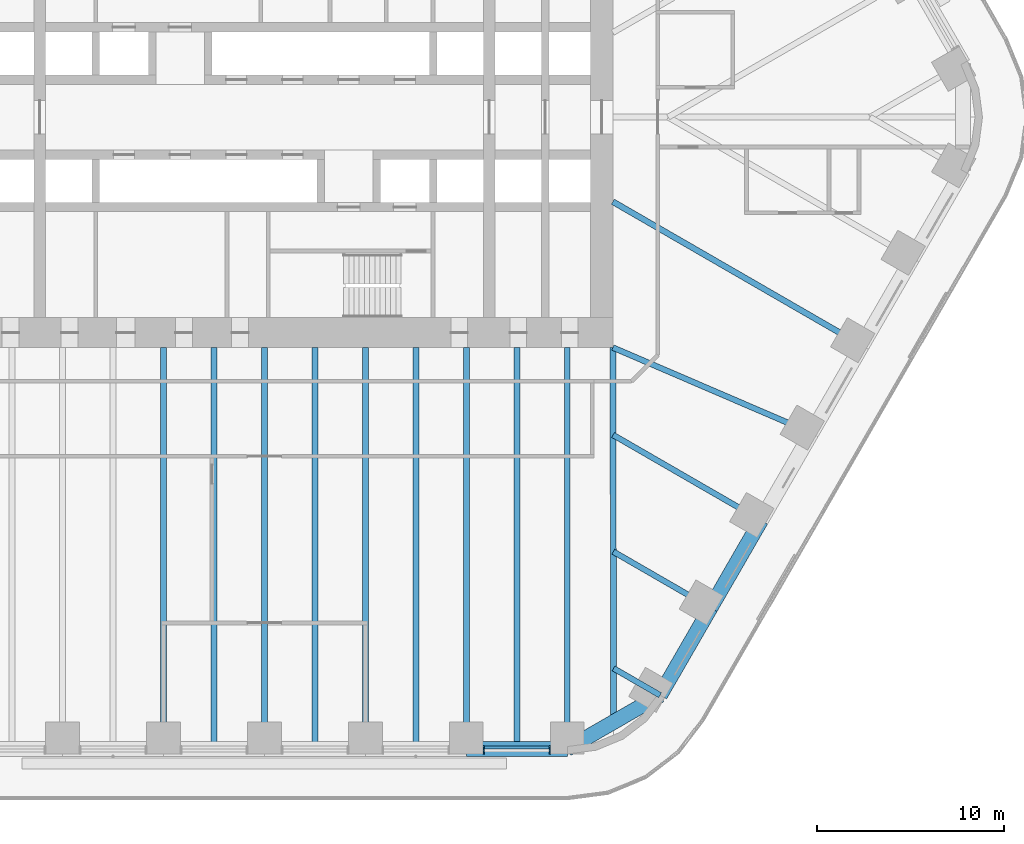
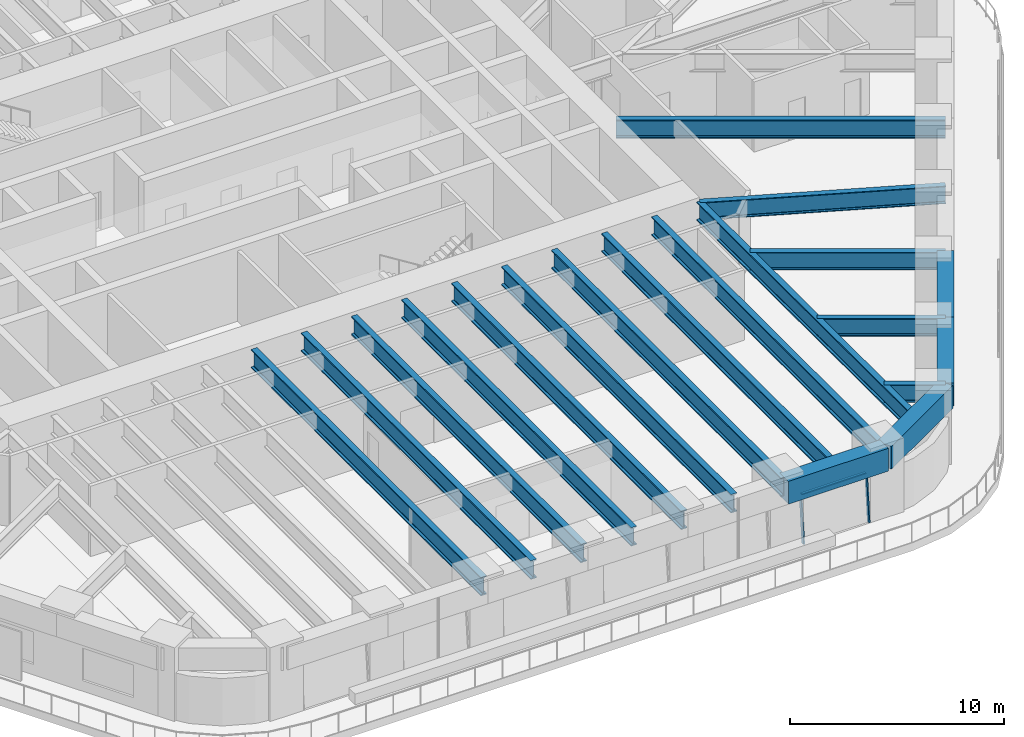
# One storey, part 5 of 23: 19 beams, 3 members, 1 element without a shape of its own.
"""IFC4 building model written with IfcOpenShell, lengths in metres."""

from ifc_helpers import new_model, si_unit, direction, frame, origin, origin_2d, place, context, subcontext, project, spatial, rectangle, i_section, extrude, material, material_profile, profile_set, type_object, element, aggregate, save


model = new_model("IFC4")

# Units and contexts
model_context = context("Model", 3, precision=1e-05, world=origin(), true_north=direction((0.0, 1.0)))
body_context = subcontext(model_context, "Body", "Model", "MODEL_VIEW")
ifc_project = project(units=[si_unit("LENGTHUNIT", "METRE"), si_unit("AREAUNIT", "SQUARE_METRE"), si_unit("VOLUMEUNIT", "CUBIC_METRE"), si_unit("PLANEANGLEUNIT", "RADIAN"), si_unit("MASSUNIT", "GRAM", prefix="KILO")], contexts=[model_context])

# Site, building, storey
site_placement = place(None, origin())
site = spatial("IfcSite", under=ifc_project, at=site_placement, CompositionType="ELEMENT")
building_placement = place(site_placement, origin())
building = spatial("IfcBuilding", under=site, at=building_placement, Name="Tarfa Lantern Tower", CompositionType="ELEMENT")
storey_placement = place(building_placement, frame((0.0, 0.0, 99.10009765625)))
storey = spatial("IfcBuildingStorey", under=building, at=storey_placement, Name="L22", CompositionType="ELEMENT", Elevation=99.10009765625)

# Curtain wall, members
ifc_material_1 = material(Name="Aluminium framed curtain wall", Category="aluminium")
curtain_wall_type = type_object("IfcCurtainWallType", Name="CW1 CANTED GLAZING LOW ZONE 2700", PredefinedType="USERDEFINED", material=ifc_material_1)
curtain_wall_placement = place(storey_placement, origin())
curtain_wall = element("IfcCurtainWall", 1, at=curtain_wall_placement, inside=storey, type_object=curtain_wall_type, Name="CW1 S L22", ObjectType="CURTAIN WALL", PredefinedType="USERDEFINED")
ifc_material_2 = material(Name="Aluminium mullion", Category="aluminium")
ifc_material_profile_1 = material_profile(ifc_material_2, rectangle(XDim=0.06494140625, YDim=0.199951171875, at=origin_2d()), Name="AL MULLION 65x200")
ifc_profile_set_1 = profile_set([ifc_material_profile_1], Name="Aluminium mullion")
member_type_1 = type_object("IfcMemberType", Name="CWM1 MULLION 65x200", PredefinedType="MULLION", material=ifc_profile_set_1)
member_1_placement = place(storey_placement, frame((11.709716796875, -33.89990234375, 0.0), z_axis=(0.0, 0.092199863775, 0.995740520979), x_axis=(-1.0, 0.0, 0.0)))
member_1 = element("IfcMember", 2, at=member_1_placement, type_object=member_type_1, Name="CW1 mullion 1", PredefinedType="MULLION", context=body_context, shape_type="SweptSolid", body=[
    extrude(rectangle(XDim=0.06494140625, YDim=0.199951171875, at=origin_2d()), origin(), (0.0, 0.0, 1.0), 2.71142578125),
])
member_2_placement = place(storey_placement, frame((15.2333984375, -33.89990234375, 0.0), z_axis=(0.0, 0.092199863775, 0.995740520979), x_axis=(-1.0, 0.0, 0.0)))
member_2 = element("IfcMember", 3, at=member_2_placement, type_object=member_type_1, Name="CW1 mullion 2", PredefinedType="MULLION", context=body_context, shape_type="SweptSolid", body=[
    extrude(rectangle(XDim=0.06494140625, YDim=0.199951171875, at=origin_2d()), origin(), (0.0, 0.0, 1.0), 2.71142578125),
])
ifc_material_3 = material(Name="Aluminium transom", Category="aluminium")
ifc_material_profile_2 = material_profile(ifc_material_3, rectangle(XDim=0.14990234375, YDim=0.06494140625, at=origin_2d()), Name="AL TRANSOM 150x65")
ifc_profile_set_2 = profile_set([ifc_material_profile_2], Name="Aluminium transom")
member_type_2 = type_object("IfcMemberType", Name="CWT1 TRANSOM 150x65", PredefinedType="USERDEFINED", material=ifc_profile_set_2)
member_3_placement = place(storey_placement, frame((11.7421875, -33.653076171875, 2.66748046875), z_axis=(1.0, 0.0, 0.0), x_axis=(0.0, 1.0, 0.0)))
member_3 = element("IfcMember", 4, at=member_3_placement, type_object=member_type_2, Name="CW1 transom 1.2", ObjectType="TRANSOM", PredefinedType="USERDEFINED", context=body_context, shape_type="SweptSolid", body=[
    extrude(rectangle(XDim=0.14990234375, YDim=0.06494140625, at=origin_2d()), origin(), (0.0, 0.0, 1.0), 3.458740234375),
])
aggregate(curtain_wall, [member_1, member_2, member_3])

# Beams
ifc_material_4 = material(Name="Concrete C80/95", Category="concrete")
ifc_material_profile_3 = material_profile(ifc_material_4, rectangle(XDim=0.800048828125, YDim=1.300048828125, at=origin_2d()), Name="RC 800x1300")
ifc_profile_set_3 = profile_set([ifc_material_profile_3], Name="Concrete C80/95")
beam_type_1 = type_object("IfcBeamType", Name="EB1 RC 800x1300", PredefinedType="SPANDREL", material=ifc_profile_set_3)
beam_1_placement = place(storey_placement, frame((10.777099609375, -33.719970703125, 3.349853515625), z_axis=(1.0, 0.0, 0.0), x_axis=(0.0, 1.0, 0.0)))
element("IfcBeam", 5, at=beam_1_placement, inside=storey, type_object=beam_type_1, Name="Edge beam S5", PredefinedType="SPANDREL", context=body_context, shape_type="SweptSolid", body=[
    extrude(rectangle(XDim=0.800048828125, YDim=1.300048828125, at=origin_2d()), origin(), (0.0, 0.0, 1.0), 5.388671875),
])
beam_2_placement = place(storey_placement, frame((16.165771484375, -33.719970703125, 3.349853515625), z_axis=(0.866033479681, 0.499986011877, 0.0), x_axis=(-0.499986011877, 0.866033479681, 0.0)))
element("IfcBeam", 6, at=beam_2_placement, inside=storey, type_object=beam_type_1, Name="Edge beam S6", PredefinedType="SPANDREL", context=body_context, shape_type="SweptSolid", body=[
    extrude(rectangle(XDim=0.800048828125, YDim=1.300048828125, at=origin_2d()), origin(), (0.0, 0.0, 1.0), 5.719970703125),
])
for number, where, z_axis, x_axis, name in (
    (7, (21.119384765625, -30.860107421875, 3.349853515625), (0.499998287579, 0.866026392449, 0.0), (-0.866026392449, 0.499998287579, 0.0), "Edge beam SE0"),
    (8, (23.813720703125, -26.193359375, 3.349853515625), (0.499998287579, 0.866026392449, 0.0), (-0.866026392449, 0.499998287579, 0.0), "Edge beam SE1"),
):
    element("IfcBeam", number, at=place(storey_placement, frame(where, z_axis=z_axis, x_axis=x_axis)), inside=storey, type_object=beam_type_1, Name=name, PredefinedType="SPANDREL", context=body_context, shape_type="SweptSolid", body=[
        extrude(rectangle(XDim=0.800048828125, YDim=1.300048828125, at=origin_2d()), origin(), (0.0, 0.0, 1.0), 5.388671875),
    ])
ifc_material_5 = material(Name="Steel S460M", Category="steel")
ifc_material_profile_4 = material_profile(ifc_material_5, i_section(OverallWidth=0.302001953125, OverallDepth=1.008056640625, WebThickness=0.02099609375, FlangeThickness=0.0400390625, FilletRadius=0.030029296875, at=origin_2d()), Name="UB1016x305x349")
ifc_profile_set_4 = profile_set([ifc_material_profile_4], Name="Steel S460M")
beam_type_2 = type_object("IfcBeamType", Name="UB1016x305x349", PredefinedType="BEAM", material=ifc_profile_set_4)
beam_3_placement = place(storey_placement, frame((21.119384765625, -30.860107421875, 3.495849609375), z_axis=(-0.866012580594, 0.500022209759, 0.0), x_axis=(-0.500022209759, -0.866012580594, 0.0)))
element("IfcBeam", 9, at=beam_3_placement, inside=storey, type_object=beam_type_2, Name="Floor beam SE0", PredefinedType="BEAM", context=body_context, shape_type="SweptSolid", body=[
    extrude(i_section(OverallWidth=0.302001953125, OverallDepth=1.008056640625, WebThickness=0.02099609375, FlangeThickness=0.0400390625, FilletRadius=0.030029296875, at=origin_2d()), origin(), (0.0, 0.0, 1.0), 2.866943359375),
])
beam_4_placement = place(storey_placement, frame((23.813720703125, -26.193359375, 3.495849609375), z_axis=(-0.866015997389, 0.500016292001, 0.0), x_axis=(-0.500016292001, -0.866015997389, 0.0)))
element("IfcBeam", 10, at=beam_4_placement, inside=storey, type_object=beam_type_2, Name="Floor beam SE1", PredefinedType="BEAM", context=body_context, shape_type="SweptSolid", body=[
    extrude(i_section(OverallWidth=0.302001953125, OverallDepth=1.008056640625, WebThickness=0.02099609375, FlangeThickness=0.0400390625, FilletRadius=0.030029296875, at=origin_2d()), origin(), (0.0, 0.0, 1.0), 5.993408203125),
])
beam_5_placement = place(storey_placement, frame((26.508056640625, -21.526611328125, 3.495849609375), z_axis=(-0.866035355799, 0.49998276221, 0.0), x_axis=(-0.49998276221, -0.866035355799, 0.0)))
element("IfcBeam", 11, at=beam_5_placement, inside=storey, type_object=beam_type_2, Name="Floor beam SE2", PredefinedType="BEAM", context=body_context, shape_type="SweptSolid", body=[
    extrude(i_section(OverallWidth=0.302001953125, OverallDepth=1.008056640625, WebThickness=0.02099609375, FlangeThickness=0.0400390625, FilletRadius=0.030029296875, at=origin_2d()), origin(), (0.0, 0.0, 1.0), 9.119873046875),
])
beam_6_placement = place(storey_placement, frame((29.202392578125, -16.860107421875, 3.495849609375), z_axis=(-0.918635483867, 0.395106122175, 0.0), x_axis=(-0.395106122175, -0.918635483867, 0.0)))
element("IfcBeam", 12, at=beam_6_placement, inside=storey, type_object=beam_type_2, Name="Floor beam SE3", PredefinedType="BEAM", context=body_context, shape_type="SweptSolid", body=[
    extrude(i_section(OverallWidth=0.302001953125, OverallDepth=1.008056640625, WebThickness=0.02099609375, FlangeThickness=0.0400390625, FilletRadius=0.030029296875, at=origin_2d()), origin(), (0.0, 0.0, 1.0), 11.541259765625),
])
ifc_material_profile_5 = material_profile(ifc_material_5, i_section(OverallWidth=0.314208984375, OverallDepth=1.055908203125, WebThickness=0.035888671875, FlangeThickness=0.06396484375, FilletRadius=0.030029296875, at=origin_2d()), Name="UB1016x305x584")
ifc_profile_set_5 = profile_set([ifc_material_profile_5], Name="Steel S460M")
beam_type_3 = type_object("IfcBeamType", Name="UB1016x305x584", PredefinedType="BEAM", material=ifc_profile_set_5)
beam_7_placement = place(storey_placement, frame((18.60009765625, -12.300048828125, 3.471923828125), z_axis=(0.00212508222, -0.99999774201, 0.0), x_axis=(0.99999774201, 0.00212508222, 0.0)))
element("IfcBeam", 13, at=beam_7_placement, inside=storey, type_object=beam_type_3, Name="Hip girder SE", PredefinedType="BEAM", context=body_context, shape_type="SweptSolid", body=[
    extrude(i_section(OverallWidth=0.314208984375, OverallDepth=1.055908203125, WebThickness=0.035888671875, FlangeThickness=0.06396484375, FilletRadius=0.030029296875, at=origin_2d()), origin(), (0.0, 0.0, 1.0), 19.989990234375),
])
for number, where, z_axis, x_axis, name in (
    (14, (-5.388671875, -33.719970703125, 3.471923828125), (0.0, 1.0, 0.0), (-1.0, 0.0, 0.0), "Floor beam S2"),
    (15, (0.0, -33.719970703125, 3.471923828125), (0.0, 1.0, 0.0), (-1.0, 0.0, 0.0), "Floor beam S3"),
    (16, (5.388671875, -33.719970703125, 3.471923828125), (0.0, 1.0, 0.0), (-1.0, 0.0, 0.0), "Floor beam S4"),
    (17, (10.777099609375, -33.719970703125, 3.471923828125), (0.0, 1.0, 0.0), (-1.0, 0.0, 0.0), "Floor beam S5"),
    (18, (16.165771484375, -33.719970703125, 3.471923828125), (0.0, 1.0, 0.0), (-1.0, 0.0, 0.0), "Floor beam S6"),
):
    element("IfcBeam", number, at=place(storey_placement, frame(where, z_axis=z_axis, x_axis=x_axis)), inside=storey, type_object=beam_type_3, Name=name, PredefinedType="BEAM", context=body_context, shape_type="SweptSolid", body=[
        extrude(i_section(OverallWidth=0.314208984375, OverallDepth=1.055908203125, WebThickness=0.035888671875, FlangeThickness=0.06396484375, FilletRadius=0.030029296875, at=origin_2d()), origin(), (0.0, 0.0, 1.0), 21.419921875),
    ])
beam_8_placement = place(storey_placement, frame((31.896728515625, -12.193359375, 3.471923828125), z_axis=(-0.866026971665, 0.499997284341, 0.0), x_axis=(-0.499997284341, -0.866026971665, 0.0)))
element("IfcBeam", 19, at=beam_8_placement, inside=storey, type_object=beam_type_3, Name="Floor beam SE4", PredefinedType="BEAM", context=body_context, shape_type="SweptSolid", body=[
    extrude(i_section(OverallWidth=0.314208984375, OverallDepth=1.055908203125, WebThickness=0.035888671875, FlangeThickness=0.06396484375, FilletRadius=0.030029296875, at=origin_2d()), origin(), (0.0, 0.0, 1.0), 15.353515625),
])
for number, where, z_axis, x_axis, name in (
    (20, (-2.6943359375, -33.719970703125, 3.471923828125), (0.0, 1.0, 0.0), (-1.0, 0.0, 0.0), "Floor beam S2M"),
    (21, (2.6943359375, -33.719970703125, 3.471923828125), (0.0, 1.0, 0.0), (-1.0, 0.0, 0.0), "Floor beam S3M"),
    (22, (8.0830078125, -33.719970703125, 3.471923828125), (0.0, 1.0, 0.0), (-1.0, 0.0, 0.0), "Floor beam S4M"),
    (23, (13.471435546875, -33.719970703125, 3.471923828125), (0.0, 1.0, 0.0), (-1.0, 0.0, 0.0), "Floor beam S5M"),
):
    element("IfcBeam", number, at=place(storey_placement, frame(where, z_axis=z_axis, x_axis=x_axis)), inside=storey, type_object=beam_type_3, Name=name, PredefinedType="BEAM", context=body_context, shape_type="SweptSolid", body=[
        extrude(i_section(OverallWidth=0.314208984375, OverallDepth=1.055908203125, WebThickness=0.035888671875, FlangeThickness=0.06396484375, FilletRadius=0.030029296875, at=origin_2d()), origin(), (0.0, 0.0, 1.0), 21.419921875),
    ])

save(model, "model.ifc")
